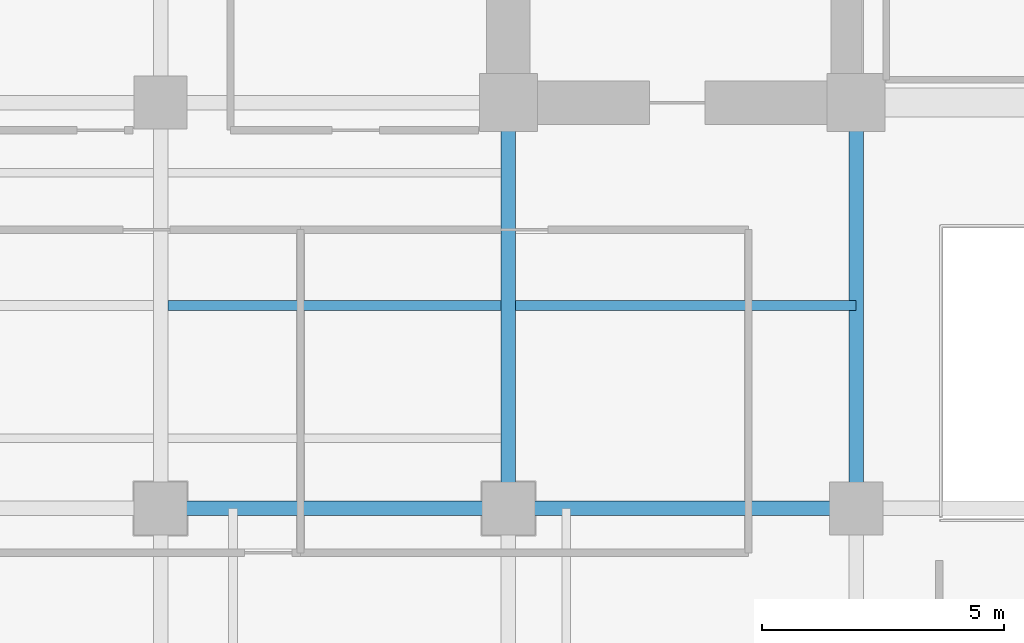
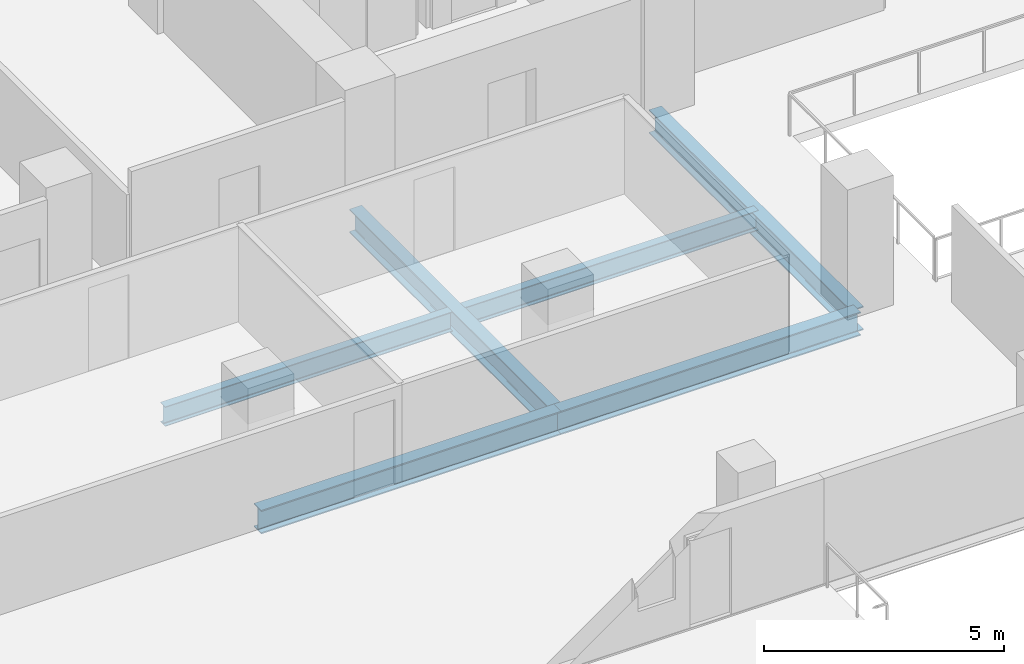
# One storey, part 4 of 30: 6 beams.
"""IFC4 building model written with IfcOpenShell, lengths in metres."""

from ifc_helpers import new_model, si_unit, direction, frame, origin, origin_2d, place, context, subcontext, project, spatial, i_section, extrude, material, material_profile, profile_set, type_object, element, save


model = new_model("IFC4")

# Units and contexts
model_context = context("Model", 3, precision=1e-05, world=origin(), true_north=direction((0.0, 1.0)))
body_context = subcontext(model_context, "Body", "Model", "MODEL_VIEW")
ifc_project = project(units=[si_unit("LENGTHUNIT", "METRE"), si_unit("AREAUNIT", "SQUARE_METRE"), si_unit("VOLUMEUNIT", "CUBIC_METRE"), si_unit("PLANEANGLEUNIT", "RADIAN"), si_unit("MASSUNIT", "GRAM", prefix="KILO")], contexts=[model_context])

# Site, building, storey
site_placement = place(None, origin())
site = spatial("IfcSite", under=ifc_project, at=site_placement, CompositionType="ELEMENT")
building_placement = place(site_placement, origin())
building = spatial("IfcBuilding", under=site, at=building_placement, Name="Zarnakvel Exchange Tower", CompositionType="ELEMENT")
storey_placement = place(building_placement, frame((0.0, 0.0, 40.60009765625)))
storey = spatial("IfcBuildingStorey", under=building, at=storey_placement, Name="L10", CompositionType="ELEMENT", Elevation=40.60009765625)

# Beams
ifc_material = material(Name="Steel S355", Category="steel")
ifc_material_profile_1 = material_profile(ifc_material, i_section(OverallWidth=0.199951171875, OverallDepth=0.5, WebThickness=0.01025390625, FlangeThickness=0.01611328125, FilletRadius=0.02099609375, at=origin_2d()))
ifc_profile_set_1 = profile_set([ifc_material_profile_1], Name="Steel S355")
beam_type_1 = type_object("IfcBeamType", Name="B-04", PredefinedType="JOIST", material=ifc_profile_set_1)
beam_1_placement = place(storey_placement, frame((-21.449951171875, -5.39990234375, -0.47509765625), z_axis=(1.0, 0.0, 0.0), x_axis=(0.0, 1.0, 0.0)))
element("IfcBeam", 1, at=beam_1_placement, inside=storey, type_object=beam_type_1, Name="L10 Composite Floor Secondary Joist", PredefinedType="JOIST", context=body_context, shape_type="SweptSolid", body=[
    extrude(i_section(OverallWidth=0.199951171875, OverallDepth=0.5, WebThickness=0.01025390625, FlangeThickness=0.01611328125, FilletRadius=0.02099609375, at=origin_2d()), origin(), (0.0, 0.0, 1.0), 6.89990234375),
])
beam_2_placement = place(storey_placement, frame((-14.25, -5.39990234375, -0.47509765625), z_axis=(1.0, 0.0, 0.0), x_axis=(0.0, 1.0, 0.0)))
element("IfcBeam", 2, at=beam_2_placement, inside=storey, type_object=beam_type_1, Name="L10 Composite Floor Secondary Joist", PredefinedType="JOIST", context=body_context, shape_type="SweptSolid", body=[
    extrude(i_section(OverallWidth=0.199951171875, OverallDepth=0.5, WebThickness=0.01025390625, FlangeThickness=0.01611328125, FilletRadius=0.02099609375, at=origin_2d()), origin(), (0.0, 0.0, 1.0), 7.050048828125),
])
ifc_material_profile_2 = material_profile(ifc_material, i_section(OverallWidth=0.300048828125, OverallDepth=0.60009765625, WebThickness=0.015380859375, FlangeThickness=0.030029296875, FilletRadius=0.027099609375, at=origin_2d()))
ifc_profile_set_2 = profile_set([ifc_material_profile_2], Name="Steel S355")
beam_type_2 = type_object("IfcBeamType", Name="G-04", PredefinedType="BEAM", material=ifc_profile_set_2)
beam_3_placement = place(storey_placement, frame((-21.60009765625, -9.60009765625, -0.525146484375), z_axis=(1.0, 0.0, 0.0), x_axis=(0.0, 1.0, 0.0)))
element("IfcBeam", 3, at=beam_3_placement, inside=storey, type_object=beam_type_2, Name="L10 Tower E-W Frame Beam", PredefinedType="BEAM", context=body_context, shape_type="SweptSolid", body=[
    extrude(i_section(OverallWidth=0.300048828125, OverallDepth=0.60009765625, WebThickness=0.015380859375, FlangeThickness=0.030029296875, FilletRadius=0.027099609375, at=origin_2d()), origin(), (0.0, 0.0, 1.0), 7.2001953125),
])
beam_4_placement = place(storey_placement, frame((-14.39990234375, -9.60009765625, -0.525146484375), z_axis=(1.0, 0.0, 0.0), x_axis=(0.0, 1.0, 0.0)))
element("IfcBeam", 4, at=beam_4_placement, inside=storey, type_object=beam_type_2, Name="L10 Tower E-W Frame Beam", PredefinedType="BEAM", context=body_context, shape_type="SweptSolid", body=[
    extrude(i_section(OverallWidth=0.300048828125, OverallDepth=0.60009765625, WebThickness=0.015380859375, FlangeThickness=0.030029296875, FilletRadius=0.027099609375, at=origin_2d()), origin(), (0.0, 0.0, 1.0), 7.199951171875),
])
for number, where, z_axis, x_axis, name in (
    (5, (-14.39990234375, -9.60009765625, -0.525146484375), (0.0, 1.0, 0.0), (-1.0, 0.0, 0.0), "L10 Tower N-S Frame Beam"),
    (6, (-7.199951171875, -9.60009765625, -0.525146484375), (0.0, 1.0, 0.0), (-1.0, 0.0, 0.0), "L10 Tower N-S Frame Beam"),
):
    element("IfcBeam", number, at=place(storey_placement, frame(where, z_axis=z_axis, x_axis=x_axis)), inside=storey, type_object=beam_type_2, Name=name, PredefinedType="BEAM", context=body_context, shape_type="SweptSolid", body=[
        extrude(i_section(OverallWidth=0.300048828125, OverallDepth=0.60009765625, WebThickness=0.015380859375, FlangeThickness=0.030029296875, FilletRadius=0.027099609375, at=origin_2d()), origin(), (0.0, 0.0, 1.0), 8.400146484375),
    ])

save(model, "model.ifc")
